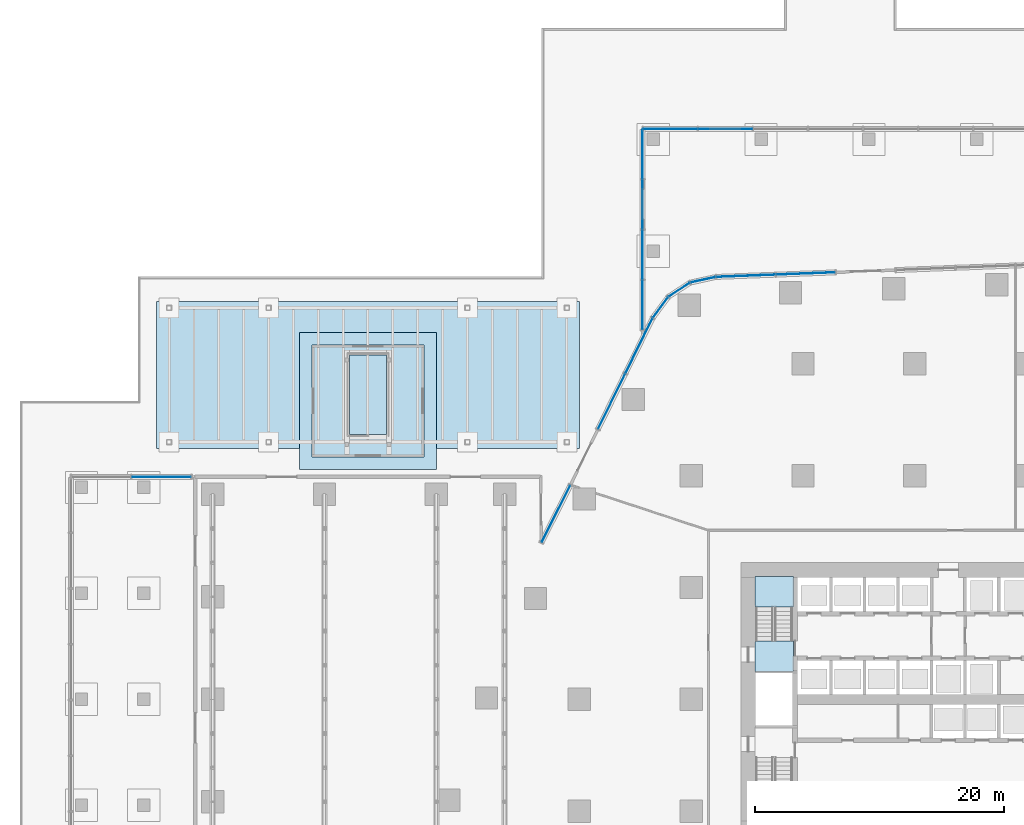
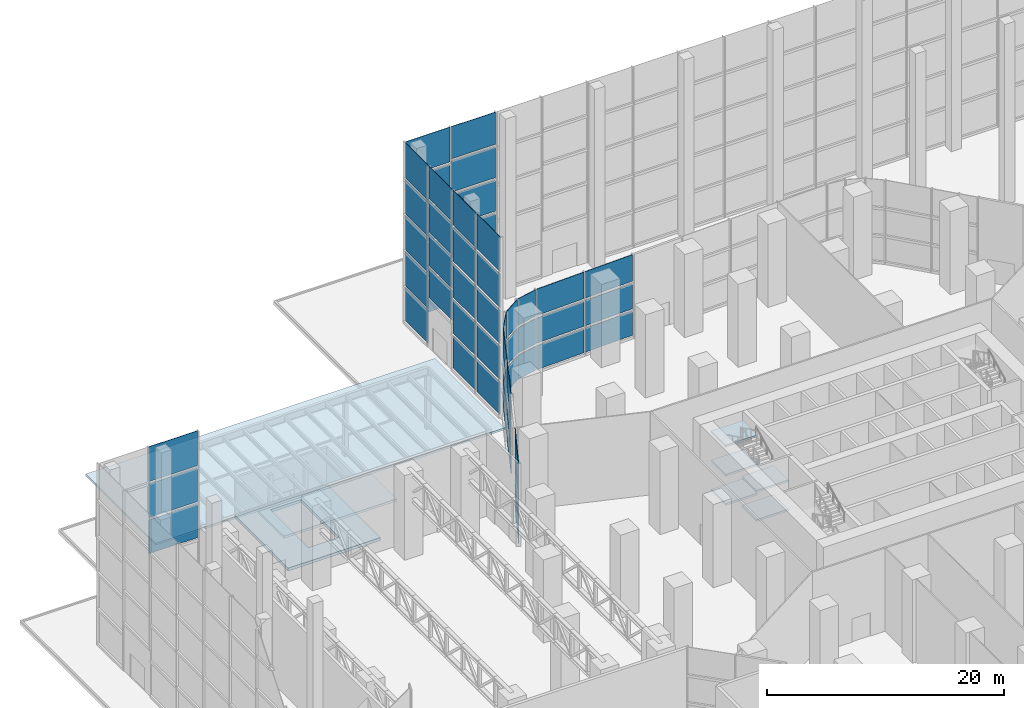
# One storey, part 24 of 40: 55 plates, 8 slabs, 11 elements without a shape of their own.
"""IFC4 building model written with IfcOpenShell, lengths in metres."""

from ifc_helpers import new_model, si_unit, direction, frame, origin, origin_2d, place, context, subcontext, project, spatial, polyline, rectangle, outline, extrude, material, layer, layer_set, type_object, element, aggregate, save


model = new_model("IFC4")

# Units and contexts
model_context = context("Model", 3, precision=1e-05, world=origin(), true_north=direction((0.0, 1.0)))
body_context = subcontext(model_context, "Body", "Model", "MODEL_VIEW")
ifc_project = project(units=[si_unit("LENGTHUNIT", "METRE"), si_unit("AREAUNIT", "SQUARE_METRE"), si_unit("VOLUMEUNIT", "CUBIC_METRE"), si_unit("PLANEANGLEUNIT", "RADIAN"), si_unit("MASSUNIT", "GRAM", prefix="KILO")], contexts=[model_context])

# Site, building, storey
site_placement = place(None, origin())
site = spatial("IfcSite", under=ifc_project, at=site_placement, CompositionType="ELEMENT")
building_placement = place(site_placement, origin())
building = spatial("IfcBuilding", under=site, at=building_placement, Name="Dongbaek Canopy Tower", CompositionType="ELEMENT")
storey_placement = place(building_placement, origin())
storey = spatial("IfcBuildingStorey", under=building, at=storey_placement, Name="L00", CompositionType="ELEMENT", Elevation=0.0)

# Curtain wall, plates
ifc_material_1 = material(Name="Aluminium 6063-T6 pale anodised", Category="aluminium")
ifc_layer_1 = layer(ifc_material_1, 0.39990234375)
ifc_layer_set_1 = layer_set([ifc_layer_1], Name="CW-3 lobby double-height curtain wall")
curtain_wall_type = type_object("IfcCurtainWallType", Name="CW-3 lobby double-height curtain wall", PredefinedType="NOTDEFINED", material=ifc_layer_set_1)
curtain_wall_1_placement = place(storey_placement, origin())
curtain_wall_1 = element("IfcCurtainWall", 1, at=curtain_wall_1_placement, inside=storey, type_object=curtain_wall_type, Name="CW-3 curtain wall F6.2", PredefinedType="NOTDEFINED")
ifc_material_2 = material(Name="Clear laminated glass", Category="glass")
ifc_layer_2 = layer(ifc_material_2, 0.0439453125)
ifc_layer_set_2 = layer_set([ifc_layer_2], Name="CW-3 glazed panel 44")
plate_type = type_object("IfcPlateType", Name="CW-3 glazed panel 44", PredefinedType="CURTAIN_PANEL", material=ifc_layer_set_2)
plate_1_placement = place(storey_placement, frame((-8.784912109375, 34.261962890625, 0.25), z_axis=(0.0, 0.0, 1.0), x_axis=(-0.999268890746, -0.038231975991, 0.0)))
plate_1 = element("IfcPlate", 2, at=plate_1_placement, type_object=plate_type, Name="CW-3 panel F6.2.1.1", PredefinedType="CURTAIN_PANEL", context=body_context, shape_type="SweptSolid", body=[
    extrude(rectangle(XDim=4.703369140625, YDim=0.0439453125, at=origin_2d()), origin(), (0.0, 0.0, 1.0), 2.47509765625),
])
plate_2_placement = place(storey_placement, frame((-8.784912109375, 34.261962890625, 2.974853515625), z_axis=(0.0, 0.0, 1.0), x_axis=(-0.999268890746, -0.038231975991, 0.0)))
plate_2 = element("IfcPlate", 3, at=plate_2_placement, type_object=plate_type, Name="CW-3 panel F6.2.1.2", PredefinedType="CURTAIN_PANEL", context=body_context, shape_type="SweptSolid", body=[
    extrude(rectangle(XDim=4.703369140625, YDim=0.0439453125, at=origin_2d()), origin(), (0.0, 0.0, 1.0), 2.60009765625),
])
plate_3_placement = place(storey_placement, frame((-8.784912109375, 34.261962890625, 5.824951171875), z_axis=(0.0, 0.0, 1.0), x_axis=(-0.999268890746, -0.038231975991, 0.0)))
plate_3 = element("IfcPlate", 4, at=plate_3_placement, type_object=plate_type, Name="CW-3 panel F6.2.1.3", PredefinedType="CURTAIN_PANEL", context=body_context, shape_type="SweptSolid", body=[
    extrude(rectangle(XDim=4.703369140625, YDim=0.0439453125, at=origin_2d()), origin(), (0.0, 0.0, 1.0), 2.72509765625),
])
plate_4_placement = place(storey_placement, frame((-13.604248046875, 34.07763671875, 0.25), z_axis=(0.0, 0.0, 1.0), x_axis=(-0.999268890746, -0.038231975991, 0.0)))
plate_4 = element("IfcPlate", 5, at=plate_4_placement, type_object=plate_type, Name="CW-3 panel F6.2.2.1", PredefinedType="CURTAIN_PANEL", context=body_context, shape_type="SweptSolid", body=[
    extrude(rectangle(XDim=4.6943359375, YDim=0.0439453125, at=origin_2d()), origin(), (0.0, 0.0, 1.0), 2.47509765625),
])
plate_5_placement = place(storey_placement, frame((-13.604248046875, 34.07763671875, 2.974853515625), z_axis=(0.0, 0.0, 1.0), x_axis=(-0.999268890746, -0.038231975991, 0.0)))
plate_5 = element("IfcPlate", 6, at=plate_5_placement, type_object=plate_type, Name="CW-3 panel F6.2.2.2", PredefinedType="CURTAIN_PANEL", context=body_context, shape_type="SweptSolid", body=[
    extrude(rectangle(XDim=4.6943359375, YDim=0.0439453125, at=origin_2d()), origin(), (0.0, 0.0, 1.0), 2.60009765625),
])
plate_6_placement = place(storey_placement, frame((-13.604248046875, 34.07763671875, 5.824951171875), z_axis=(0.0, 0.0, 1.0), x_axis=(-0.999268890746, -0.038231975991, 0.0)))
plate_6 = element("IfcPlate", 7, at=plate_6_placement, type_object=plate_type, Name="CW-3 panel F6.2.2.3", PredefinedType="CURTAIN_PANEL", context=body_context, shape_type="SweptSolid", body=[
    extrude(rectangle(XDim=4.6943359375, YDim=0.0439453125, at=origin_2d()), origin(), (0.0, 0.0, 1.0), 2.72509765625),
])
aggregate(curtain_wall_1, [plate_1, plate_2, plate_3, plate_4, plate_5, plate_6])

curtain_wall_2_placement = place(storey_placement, origin())
curtain_wall_2 = element("IfcCurtainWall", 8, at=curtain_wall_2_placement, inside=storey, type_object=curtain_wall_type, Name="CW-3 curtain wall K2.1", PredefinedType="NOTDEFINED")
plate_7_placement = place(storey_placement, frame((-17.04296875, 33.757568359375, 0.25), z_axis=(0.0, 0.0, 1.0), x_axis=(-0.976443135991, -0.215774887734, 0.0)))
plate_7 = element("IfcPlate", 9, at=plate_7_placement, type_object=plate_type, Name="CW-3 panel K2.1.1.1", PredefinedType="CURTAIN_PANEL", context=body_context, shape_type="SweptSolid", body=[
    extrude(rectangle(XDim=1.98828125, YDim=0.0439453125, at=origin_2d()), origin(), (0.0, 0.0, 1.0), 2.47509765625),
])
plate_8_placement = place(storey_placement, frame((-17.04296875, 33.757568359375, 2.974853515625), z_axis=(0.0, 0.0, 1.0), x_axis=(-0.976443135991, -0.215774887734, 0.0)))
plate_8 = element("IfcPlate", 10, at=plate_8_placement, type_object=plate_type, Name="CW-3 panel K2.1.1.2", PredefinedType="CURTAIN_PANEL", context=body_context, shape_type="SweptSolid", body=[
    extrude(rectangle(XDim=1.98828125, YDim=0.0439453125, at=origin_2d()), origin(), (0.0, 0.0, 1.0), 2.60009765625),
])
plate_9_placement = place(storey_placement, frame((-17.04296875, 33.757568359375, 5.824951171875), z_axis=(0.0, 0.0, 1.0), x_axis=(-0.976443135991, -0.215774887734, 0.0)))
plate_9 = element("IfcPlate", 11, at=plate_9_placement, type_object=plate_type, Name="CW-3 panel K2.1.1.3", PredefinedType="CURTAIN_PANEL", context=body_context, shape_type="SweptSolid", body=[
    extrude(rectangle(XDim=1.98828125, YDim=0.0439453125, at=origin_2d()), origin(), (0.0, 0.0, 1.0), 2.72509765625),
])
plate_10_placement = place(storey_placement, frame((-18.956298828125, 32.956787109375, 0.25), z_axis=(0.0, 0.0, 1.0), x_axis=(-0.83866333439, -0.544650173552, 0.0)))
plate_10 = element("IfcPlate", 12, at=plate_10_placement, type_object=plate_type, Name="CW-3 panel K2.1.2.1", PredefinedType="CURTAIN_PANEL", context=body_context, shape_type="SweptSolid", body=[
    extrude(rectangle(XDim=1.979248046875, YDim=0.0439453125, at=origin_2d()), origin(), (0.0, 0.0, 1.0), 2.47509765625),
])
plate_11_placement = place(storey_placement, frame((-18.956298828125, 32.956787109375, 2.974853515625), z_axis=(0.0, 0.0, 1.0), x_axis=(-0.83866333439, -0.544650173552, 0.0)))
plate_11 = element("IfcPlate", 13, at=plate_11_placement, type_object=plate_type, Name="CW-3 panel K2.1.2.2", PredefinedType="CURTAIN_PANEL", context=body_context, shape_type="SweptSolid", body=[
    extrude(rectangle(XDim=1.979248046875, YDim=0.0439453125, at=origin_2d()), origin(), (0.0, 0.0, 1.0), 2.60009765625),
])
plate_12_placement = place(storey_placement, frame((-18.956298828125, 32.956787109375, 5.824951171875), z_axis=(0.0, 0.0, 1.0), x_axis=(-0.83866333439, -0.544650173552, 0.0)))
plate_12 = element("IfcPlate", 14, at=plate_12_placement, type_object=plate_type, Name="CW-3 panel K2.1.2.3", PredefinedType="CURTAIN_PANEL", context=body_context, shape_type="SweptSolid", body=[
    extrude(rectangle(XDim=1.979248046875, YDim=0.0439453125, at=origin_2d()), origin(), (0.0, 0.0, 1.0), 2.72509765625),
])
plate_13_placement = place(storey_placement, frame((-20.4658203125, 31.53466796875, 0.25), z_axis=(0.0, 0.0, 1.0), x_axis=(-0.594253266515, -0.804277971373, 0.0)))
plate_13 = element("IfcPlate", 15, at=plate_13_placement, type_object=plate_type, Name="CW-3 panel K2.1.3.1", PredefinedType="CURTAIN_PANEL", context=body_context, shape_type="SweptSolid", body=[
    extrude(rectangle(XDim=1.98828125, YDim=0.0439453125, at=origin_2d()), origin(), (0.0, 0.0, 1.0), 2.47509765625),
])
plate_14_placement = place(storey_placement, frame((-20.4658203125, 31.53466796875, 2.974853515625), z_axis=(0.0, 0.0, 1.0), x_axis=(-0.594253266515, -0.804277971373, 0.0)))
plate_14 = element("IfcPlate", 16, at=plate_14_placement, type_object=plate_type, Name="CW-3 panel K2.1.3.2", PredefinedType="CURTAIN_PANEL", context=body_context, shape_type="SweptSolid", body=[
    extrude(rectangle(XDim=1.98828125, YDim=0.0439453125, at=origin_2d()), origin(), (0.0, 0.0, 1.0), 2.60009765625),
])
plate_15_placement = place(storey_placement, frame((-20.4658203125, 31.53466796875, 5.824951171875), z_axis=(0.0, 0.0, 1.0), x_axis=(-0.594253266515, -0.804277971373, 0.0)))
plate_15 = element("IfcPlate", 17, at=plate_15_placement, type_object=plate_type, Name="CW-3 panel K2.1.3.3", PredefinedType="CURTAIN_PANEL", context=body_context, shape_type="SweptSolid", body=[
    extrude(rectangle(XDim=1.98828125, YDim=0.0439453125, at=origin_2d()), origin(), (0.0, 0.0, 1.0), 2.72509765625),
])
aggregate(curtain_wall_2, [plate_7, plate_8, plate_9, plate_10, plate_11, plate_12, plate_13, plate_14, plate_15])

curtain_wall_3_placement = place(storey_placement, origin())
curtain_wall_3 = element("IfcCurtainWall", 18, at=curtain_wall_3_placement, inside=storey, type_object=curtain_wall_type, Name="CW-3 curtain wall F7.1", PredefinedType="NOTDEFINED")
plate_16_placement = place(storey_placement, frame((-22.194091796875, 28.447509765625, 0.25), z_axis=(0.0, 0.0, 1.0), x_axis=(-0.441341607677, -0.897339169619, 0.0)))
plate_16 = element("IfcPlate", 19, at=plate_16_placement, type_object=plate_type, Name="CW-3 panel F7.1.1.1", PredefinedType="CURTAIN_PANEL", context=body_context, shape_type="SweptSolid", body=[
    extrude(rectangle(XDim=4.863525390625, YDim=0.0439453125, at=origin_2d()), origin(), (0.0, 0.0, 1.0), 2.47509765625),
])
plate_17_placement = place(storey_placement, frame((-22.194091796875, 28.447509765625, 2.974853515625), z_axis=(0.0, 0.0, 1.0), x_axis=(-0.441341607677, -0.897339169619, 0.0)))
plate_17 = element("IfcPlate", 20, at=plate_17_placement, type_object=plate_type, Name="CW-3 panel F7.1.1.2", PredefinedType="CURTAIN_PANEL", context=body_context, shape_type="SweptSolid", body=[
    extrude(rectangle(XDim=4.863525390625, YDim=0.0439453125, at=origin_2d()), origin(), (0.0, 0.0, 1.0), 2.60009765625),
])
plate_18_placement = place(storey_placement, frame((-22.194091796875, 28.447509765625, 5.824951171875), z_axis=(0.0, 0.0, 1.0), x_axis=(-0.441341607677, -0.897339169619, 0.0)))
plate_18 = element("IfcPlate", 21, at=plate_18_placement, type_object=plate_type, Name="CW-3 panel F7.1.1.3", PredefinedType="CURTAIN_PANEL", context=body_context, shape_type="SweptSolid", body=[
    extrude(rectangle(XDim=4.863525390625, YDim=0.0439453125, at=origin_2d()), origin(), (0.0, 0.0, 1.0), 2.72509765625),
])
plate_19_placement = place(storey_placement, frame((-24.397216796875, 23.9677734375, 0.25), z_axis=(0.0, 0.0, 1.0), x_axis=(-0.441341607677, -0.897339169619, 0.0)))
plate_19 = element("IfcPlate", 22, at=plate_19_placement, type_object=plate_type, Name="CW-3 panel F7.1.2.1", PredefinedType="CURTAIN_PANEL", context=body_context, shape_type="SweptSolid", body=[
    extrude(rectangle(XDim=4.87255859375, YDim=0.0439453125, at=origin_2d()), origin(), (0.0, 0.0, 1.0), 2.47509765625),
])
plate_20_placement = place(storey_placement, frame((-24.397216796875, 23.9677734375, 2.974853515625), z_axis=(0.0, 0.0, 1.0), x_axis=(-0.441341607677, -0.897339169619, 0.0)))
plate_20 = element("IfcPlate", 23, at=plate_20_placement, type_object=plate_type, Name="CW-3 panel F7.1.2.2", PredefinedType="CURTAIN_PANEL", context=body_context, shape_type="SweptSolid", body=[
    extrude(rectangle(XDim=4.87255859375, YDim=0.0439453125, at=origin_2d()), origin(), (0.0, 0.0, 1.0), 2.60009765625),
])
plate_21_placement = place(storey_placement, frame((-24.397216796875, 23.9677734375, 5.824951171875), z_axis=(0.0, 0.0, 1.0), x_axis=(-0.441341607677, -0.897339169619, 0.0)))
plate_21 = element("IfcPlate", 24, at=plate_21_placement, type_object=plate_type, Name="CW-3 panel F7.1.2.3", PredefinedType="CURTAIN_PANEL", context=body_context, shape_type="SweptSolid", body=[
    extrude(rectangle(XDim=4.87255859375, YDim=0.0439453125, at=origin_2d()), origin(), (0.0, 0.0, 1.0), 2.72509765625),
])
aggregate(curtain_wall_3, [plate_16, plate_17, plate_18, plate_19, plate_20, plate_21])

curtain_wall_4_placement = place(storey_placement, origin())
curtain_wall_4 = element("IfcCurtainWall", 25, at=curtain_wall_4_placement, inside=storey, type_object=curtain_wall_type, Name="CW-3 curtain wall F7.2", PredefinedType="NOTDEFINED")
plate_22_placement = place(storey_placement, frame((-28.875244140625, 14.92529296875, 0.25), z_axis=(0.0, 0.0, 1.0), x_axis=(-0.450769396927, -0.892640437575, 0.0)))
plate_22 = element("IfcPlate", 26, at=plate_22_placement, type_object=plate_type, Name="CW-3 panel F7.2.1.1", PredefinedType="CURTAIN_PANEL", context=body_context, shape_type="SweptSolid", body=[
    extrude(rectangle(XDim=5.067626953125, YDim=0.0439453125, at=origin_2d()), origin(), (0.0, 0.0, 1.0), 2.47509765625),
])
plate_23_placement = place(storey_placement, frame((-28.875244140625, 14.92529296875, 2.974853515625), z_axis=(0.0, 0.0, 1.0), x_axis=(-0.450769396927, -0.892640437575, 0.0)))
plate_23 = element("IfcPlate", 27, at=plate_23_placement, type_object=plate_type, Name="CW-3 panel F7.2.1.2", PredefinedType="CURTAIN_PANEL", context=body_context, shape_type="SweptSolid", body=[
    extrude(rectangle(XDim=5.067626953125, YDim=0.0439453125, at=origin_2d()), origin(), (0.0, 0.0, 1.0), 2.60009765625),
])
plate_24_placement = place(storey_placement, frame((-28.875244140625, 14.92529296875, 5.824951171875), z_axis=(0.0, 0.0, 1.0), x_axis=(-0.450769396927, -0.892640437575, 0.0)))
plate_24 = element("IfcPlate", 28, at=plate_24_placement, type_object=plate_type, Name="CW-3 panel F7.2.1.3", PredefinedType="CURTAIN_PANEL", context=body_context, shape_type="SweptSolid", body=[
    extrude(rectangle(XDim=5.067626953125, YDim=0.0439453125, at=origin_2d()), origin(), (0.0, 0.0, 1.0), 2.72509765625),
])
aggregate(curtain_wall_4, [plate_22, plate_23, plate_24])

curtain_wall_5_placement = place(storey_placement, origin())
curtain_wall_5 = element("IfcCurtainWall", 29, at=curtain_wall_5_placement, inside=storey, type_object=curtain_wall_type, Name="CW-3 curtain wall HNN.17U", PredefinedType="NOTDEFINED")
plate_25_placement = place(storey_placement, frame((-15.25, 45.89990234375, 5.050048828125), z_axis=(0.0, 0.0, 1.0), x_axis=(-1.0, 0.0, 0.0)))
plate_25 = element("IfcPlate", 30, at=plate_25_placement, type_object=plate_type, Name="CW-3 panel HNN.17U.1.1", PredefinedType="CURTAIN_PANEL", context=body_context, shape_type="SweptSolid", body=[
    extrude(rectangle(XDim=4.309326171875, YDim=0.0439453125, at=origin_2d()), origin(), (0.0, 0.0, 1.0), 3.0625),
])
plate_26_placement = place(storey_placement, frame((-15.25, 45.89990234375, 8.362548828125), z_axis=(0.0, 0.0, 1.0), x_axis=(-1.0, 0.0, 0.0)))
plate_26 = element("IfcPlate", 31, at=plate_26_placement, type_object=plate_type, Name="CW-3 panel HNN.17U.1.2", PredefinedType="CURTAIN_PANEL", context=body_context, shape_type="SweptSolid", body=[
    extrude(rectangle(XDim=4.309326171875, YDim=0.0439453125, at=origin_2d()), origin(), (0.0, 0.0, 1.0), 3.1875),
])
plate_27_placement = place(storey_placement, frame((-15.25, 45.89990234375, 11.800048828125), z_axis=(0.0, 0.0, 1.0), x_axis=(-1.0, 0.0, 0.0)))
plate_27 = element("IfcPlate", 32, at=plate_27_placement, type_object=plate_type, Name="CW-3 panel HNN.17U.1.3", PredefinedType="CURTAIN_PANEL", context=body_context, shape_type="SweptSolid", body=[
    extrude(rectangle(XDim=4.309326171875, YDim=0.0439453125, at=origin_2d()), origin(), (0.0, 0.0, 1.0), 3.1875),
])
plate_28_placement = place(storey_placement, frame((-15.25, 45.89990234375, 15.237548828125), z_axis=(0.0, 0.0, 1.0), x_axis=(-1.0, 0.0, 0.0)))
plate_28 = element("IfcPlate", 33, at=plate_28_placement, type_object=plate_type, Name="CW-3 panel HNN.17U.1.4", PredefinedType="CURTAIN_PANEL", context=body_context, shape_type="SweptSolid", body=[
    extrude(rectangle(XDim=4.309326171875, YDim=0.0439453125, at=origin_2d()), origin(), (0.0, 0.0, 1.0), 3.3125),
])
aggregate(curtain_wall_5, [plate_25, plate_26, plate_27, plate_28])

curtain_wall_6_placement = place(storey_placement, origin())
curtain_wall_6 = element("IfcCurtainWall", 34, at=curtain_wall_6_placement, inside=storey, type_object=curtain_wall_type, Name="CW-3 curtain wall HNN.5", PredefinedType="NOTDEFINED")
plate_29_placement = place(storey_placement, frame((-19.683349609375, 45.89990234375, 0.25), z_axis=(0.0, 0.0, 1.0), x_axis=(-1.0, 0.0, 0.0)))
plate_29 = element("IfcPlate", 35, at=plate_29_placement, type_object=plate_type, Name="CW-3 panel HNN.5.1.1", PredefinedType="CURTAIN_PANEL", context=body_context, shape_type="SweptSolid", body=[
    extrude(rectangle(XDim=4.309326171875, YDim=0.0439453125, at=origin_2d()), origin(), (0.0, 0.0, 1.0), 3.3349609375),
])
plate_30_placement = place(storey_placement, frame((-19.683349609375, 45.89990234375, 3.8349609375), z_axis=(0.0, 0.0, 1.0), x_axis=(-1.0, 0.0, 0.0)))
plate_30 = element("IfcPlate", 36, at=plate_30_placement, type_object=plate_type, Name="CW-3 panel HNN.5.1.2", PredefinedType="CURTAIN_PANEL", context=body_context, shape_type="SweptSolid", body=[
    extrude(rectangle(XDim=4.309326171875, YDim=0.0439453125, at=origin_2d()), origin(), (0.0, 0.0, 1.0), 3.4599609375),
])
plate_31_placement = place(storey_placement, frame((-19.683349609375, 45.89990234375, 7.544921875), z_axis=(0.0, 0.0, 1.0), x_axis=(-1.0, 0.0, 0.0)))
plate_31 = element("IfcPlate", 37, at=plate_31_placement, type_object=plate_type, Name="CW-3 panel HNN.5.1.3", PredefinedType="CURTAIN_PANEL", context=body_context, shape_type="SweptSolid", body=[
    extrude(rectangle(XDim=4.309326171875, YDim=0.0439453125, at=origin_2d()), origin(), (0.0, 0.0, 1.0), 3.4599609375),
])
plate_32_placement = place(storey_placement, frame((-19.683349609375, 45.89990234375, 11.255126953125), z_axis=(0.0, 0.0, 1.0), x_axis=(-1.0, 0.0, 0.0)))
plate_32 = element("IfcPlate", 38, at=plate_32_placement, type_object=plate_type, Name="CW-3 panel HNN.5.1.4", PredefinedType="CURTAIN_PANEL", context=body_context, shape_type="SweptSolid", body=[
    extrude(rectangle(XDim=4.309326171875, YDim=0.0439453125, at=origin_2d()), origin(), (0.0, 0.0, 1.0), 3.4599609375),
])
plate_33_placement = place(storey_placement, frame((-19.683349609375, 45.89990234375, 14.965087890625), z_axis=(0.0, 0.0, 1.0), x_axis=(-1.0, 0.0, 0.0)))
plate_33 = element("IfcPlate", 39, at=plate_33_placement, type_object=plate_type, Name="CW-3 panel HNN.5.1.5", PredefinedType="CURTAIN_PANEL", context=body_context, shape_type="SweptSolid", body=[
    extrude(rectangle(XDim=4.309326171875, YDim=0.0439453125, at=origin_2d()), origin(), (0.0, 0.0, 1.0), 3.5849609375),
])
aggregate(curtain_wall_6, [plate_29, plate_30, plate_31, plate_32, plate_33])

curtain_wall_7_placement = place(storey_placement, origin())
curtain_wall_7 = element("IfcCurtainWall", 40, at=curtain_wall_7_placement, inside=storey, type_object=curtain_wall_type, Name="CW-3 curtain wall HNW.1", PredefinedType="NOTDEFINED")
plate_34_placement = place(storey_placement, frame((-21.89990234375, 43.878173828125, 0.25), z_axis=(0.0, 0.0, 1.0), x_axis=(0.0, -1.0, 0.0)))
plate_34 = element("IfcPlate", 41, at=plate_34_placement, type_object=plate_type, Name="CW-3 panel HNW.1.1.1", PredefinedType="CURTAIN_PANEL", context=body_context, shape_type="SweptSolid", body=[
    extrude(rectangle(XDim=3.919677734375, YDim=0.0439453125, at=origin_2d()), origin(), (0.0, 0.0, 1.0), 3.3349609375),
])
plate_35_placement = place(storey_placement, frame((-21.89990234375, 43.878173828125, 3.8349609375), z_axis=(0.0, 0.0, 1.0), x_axis=(0.0, -1.0, 0.0)))
plate_35 = element("IfcPlate", 42, at=plate_35_placement, type_object=plate_type, Name="CW-3 panel HNW.1.1.2", PredefinedType="CURTAIN_PANEL", context=body_context, shape_type="SweptSolid", body=[
    extrude(rectangle(XDim=3.919677734375, YDim=0.0439453125, at=origin_2d()), origin(), (0.0, 0.0, 1.0), 3.4599609375),
])
plate_36_placement = place(storey_placement, frame((-21.89990234375, 43.878173828125, 7.544921875), z_axis=(0.0, 0.0, 1.0), x_axis=(0.0, -1.0, 0.0)))
plate_36 = element("IfcPlate", 43, at=plate_36_placement, type_object=plate_type, Name="CW-3 panel HNW.1.1.3", PredefinedType="CURTAIN_PANEL", context=body_context, shape_type="SweptSolid", body=[
    extrude(rectangle(XDim=3.919677734375, YDim=0.0439453125, at=origin_2d()), origin(), (0.0, 0.0, 1.0), 3.4599609375),
])
plate_37_placement = place(storey_placement, frame((-21.89990234375, 43.878173828125, 11.255126953125), z_axis=(0.0, 0.0, 1.0), x_axis=(0.0, -1.0, 0.0)))
plate_37 = element("IfcPlate", 44, at=plate_37_placement, type_object=plate_type, Name="CW-3 panel HNW.1.1.4", PredefinedType="CURTAIN_PANEL", context=body_context, shape_type="SweptSolid", body=[
    extrude(rectangle(XDim=3.919677734375, YDim=0.0439453125, at=origin_2d()), origin(), (0.0, 0.0, 1.0), 3.4599609375),
])
plate_38_placement = place(storey_placement, frame((-21.89990234375, 43.878173828125, 14.965087890625), z_axis=(0.0, 0.0, 1.0), x_axis=(0.0, -1.0, 0.0)))
plate_38 = element("IfcPlate", 45, at=plate_38_placement, type_object=plate_type, Name="CW-3 panel HNW.1.1.5", PredefinedType="CURTAIN_PANEL", context=body_context, shape_type="SweptSolid", body=[
    extrude(rectangle(XDim=3.919677734375, YDim=0.0439453125, at=origin_2d()), origin(), (0.0, 0.0, 1.0), 3.5849609375),
])
aggregate(curtain_wall_7, [plate_34, plate_35, plate_36, plate_37, plate_38])

curtain_wall_8_placement = place(storey_placement, origin())
curtain_wall_8 = element("IfcCurtainWall", 46, at=curtain_wall_8_placement, inside=storey, type_object=curtain_wall_type, Name="CW-3 curtain wall HNW.2U", PredefinedType="NOTDEFINED")
plate_39_placement = place(storey_placement, frame((-21.89990234375, 39.83447265625, 5.050048828125), z_axis=(0.0, 0.0, 1.0), x_axis=(0.0, -1.0, 0.0)))
plate_39 = element("IfcPlate", 47, at=plate_39_placement, type_object=plate_type, Name="CW-3 panel HNW.2U.1.1", PredefinedType="CURTAIN_PANEL", context=body_context, shape_type="SweptSolid", body=[
    extrude(rectangle(XDim=3.919677734375, YDim=0.0439453125, at=origin_2d()), origin(), (0.0, 0.0, 1.0), 3.0625),
])
plate_40_placement = place(storey_placement, frame((-21.89990234375, 39.83447265625, 8.362548828125), z_axis=(0.0, 0.0, 1.0), x_axis=(0.0, -1.0, 0.0)))
plate_40 = element("IfcPlate", 48, at=plate_40_placement, type_object=plate_type, Name="CW-3 panel HNW.2U.1.2", PredefinedType="CURTAIN_PANEL", context=body_context, shape_type="SweptSolid", body=[
    extrude(rectangle(XDim=3.919677734375, YDim=0.0439453125, at=origin_2d()), origin(), (0.0, 0.0, 1.0), 3.1875),
])
plate_41_placement = place(storey_placement, frame((-21.89990234375, 39.83447265625, 11.800048828125), z_axis=(0.0, 0.0, 1.0), x_axis=(0.0, -1.0, 0.0)))
plate_41 = element("IfcPlate", 49, at=plate_41_placement, type_object=plate_type, Name="CW-3 panel HNW.2U.1.3", PredefinedType="CURTAIN_PANEL", context=body_context, shape_type="SweptSolid", body=[
    extrude(rectangle(XDim=3.919677734375, YDim=0.0439453125, at=origin_2d()), origin(), (0.0, 0.0, 1.0), 3.1875),
])
plate_42_placement = place(storey_placement, frame((-21.89990234375, 39.83447265625, 15.237548828125), z_axis=(0.0, 0.0, 1.0), x_axis=(0.0, -1.0, 0.0)))
plate_42 = element("IfcPlate", 50, at=plate_42_placement, type_object=plate_type, Name="CW-3 panel HNW.2U.1.4", PredefinedType="CURTAIN_PANEL", context=body_context, shape_type="SweptSolid", body=[
    extrude(rectangle(XDim=3.919677734375, YDim=0.0439453125, at=origin_2d()), origin(), (0.0, 0.0, 1.0), 3.3125),
])
aggregate(curtain_wall_8, [plate_39, plate_40, plate_41, plate_42])

curtain_wall_9_placement = place(storey_placement, origin())
curtain_wall_9 = element("IfcCurtainWall", 51, at=curtain_wall_9_placement, inside=storey, type_object=curtain_wall_type, Name="CW-3 curtain wall HNW.2", PredefinedType="NOTDEFINED")
plate_43_placement = place(storey_placement, frame((-21.89990234375, 35.79052734375, 0.25), z_axis=(0.0, 0.0, 1.0), x_axis=(0.0, -1.0, 0.0)))
plate_43 = element("IfcPlate", 52, at=plate_43_placement, type_object=plate_type, Name="CW-3 panel HNW.2.1.1", PredefinedType="CURTAIN_PANEL", context=body_context, shape_type="SweptSolid", body=[
    extrude(rectangle(XDim=3.919677734375, YDim=0.0439453125, at=origin_2d()), origin(), (0.0, 0.0, 1.0), 3.3349609375),
])
plate_44_placement = place(storey_placement, frame((-21.89990234375, 35.79052734375, 3.8349609375), z_axis=(0.0, 0.0, 1.0), x_axis=(0.0, -1.0, 0.0)))
plate_44 = element("IfcPlate", 53, at=plate_44_placement, type_object=plate_type, Name="CW-3 panel HNW.2.1.2", PredefinedType="CURTAIN_PANEL", context=body_context, shape_type="SweptSolid", body=[
    extrude(rectangle(XDim=3.919677734375, YDim=0.0439453125, at=origin_2d()), origin(), (0.0, 0.0, 1.0), 3.4599609375),
])
plate_45_placement = place(storey_placement, frame((-21.89990234375, 35.79052734375, 7.544921875), z_axis=(0.0, 0.0, 1.0), x_axis=(0.0, -1.0, 0.0)))
plate_45 = element("IfcPlate", 54, at=plate_45_placement, type_object=plate_type, Name="CW-3 panel HNW.2.1.3", PredefinedType="CURTAIN_PANEL", context=body_context, shape_type="SweptSolid", body=[
    extrude(rectangle(XDim=3.919677734375, YDim=0.0439453125, at=origin_2d()), origin(), (0.0, 0.0, 1.0), 3.4599609375),
])
plate_46_placement = place(storey_placement, frame((-21.89990234375, 35.79052734375, 11.255126953125), z_axis=(0.0, 0.0, 1.0), x_axis=(0.0, -1.0, 0.0)))
plate_46 = element("IfcPlate", 55, at=plate_46_placement, type_object=plate_type, Name="CW-3 panel HNW.2.1.4", PredefinedType="CURTAIN_PANEL", context=body_context, shape_type="SweptSolid", body=[
    extrude(rectangle(XDim=3.919677734375, YDim=0.0439453125, at=origin_2d()), origin(), (0.0, 0.0, 1.0), 3.4599609375),
])
plate_47_placement = place(storey_placement, frame((-21.89990234375, 35.79052734375, 14.965087890625), z_axis=(0.0, 0.0, 1.0), x_axis=(0.0, -1.0, 0.0)))
plate_47 = element("IfcPlate", 56, at=plate_47_placement, type_object=plate_type, Name="CW-3 panel HNW.2.1.5", PredefinedType="CURTAIN_PANEL", context=body_context, shape_type="SweptSolid", body=[
    extrude(rectangle(XDim=3.919677734375, YDim=0.0439453125, at=origin_2d()), origin(), (0.0, 0.0, 1.0), 3.5849609375),
])
plate_48_placement = place(storey_placement, frame((-21.89990234375, 31.746826171875, 0.25), z_axis=(0.0, 0.0, 1.0), x_axis=(0.0, -1.0, 0.0)))
plate_48 = element("IfcPlate", 57, at=plate_48_placement, type_object=plate_type, Name="CW-3 panel HNW.2.2.1", PredefinedType="CURTAIN_PANEL", context=body_context, shape_type="SweptSolid", body=[
    extrude(rectangle(XDim=3.919677734375, YDim=0.0439453125, at=origin_2d()), origin(), (0.0, 0.0, 1.0), 3.3349609375),
])
plate_49_placement = place(storey_placement, frame((-21.89990234375, 31.746826171875, 3.8349609375), z_axis=(0.0, 0.0, 1.0), x_axis=(0.0, -1.0, 0.0)))
plate_49 = element("IfcPlate", 58, at=plate_49_placement, type_object=plate_type, Name="CW-3 panel HNW.2.2.2", PredefinedType="CURTAIN_PANEL", context=body_context, shape_type="SweptSolid", body=[
    extrude(rectangle(XDim=3.919677734375, YDim=0.0439453125, at=origin_2d()), origin(), (0.0, 0.0, 1.0), 3.4599609375),
])
plate_50_placement = place(storey_placement, frame((-21.89990234375, 31.746826171875, 7.544921875), z_axis=(0.0, 0.0, 1.0), x_axis=(0.0, -1.0, 0.0)))
plate_50 = element("IfcPlate", 59, at=plate_50_placement, type_object=plate_type, Name="CW-3 panel HNW.2.2.3", PredefinedType="CURTAIN_PANEL", context=body_context, shape_type="SweptSolid", body=[
    extrude(rectangle(XDim=3.919677734375, YDim=0.0439453125, at=origin_2d()), origin(), (0.0, 0.0, 1.0), 3.4599609375),
])
plate_51_placement = place(storey_placement, frame((-21.89990234375, 31.746826171875, 11.255126953125), z_axis=(0.0, 0.0, 1.0), x_axis=(0.0, -1.0, 0.0)))
plate_51 = element("IfcPlate", 60, at=plate_51_placement, type_object=plate_type, Name="CW-3 panel HNW.2.2.4", PredefinedType="CURTAIN_PANEL", context=body_context, shape_type="SweptSolid", body=[
    extrude(rectangle(XDim=3.919677734375, YDim=0.0439453125, at=origin_2d()), origin(), (0.0, 0.0, 1.0), 3.4599609375),
])
plate_52_placement = place(storey_placement, frame((-21.89990234375, 31.746826171875, 14.965087890625), z_axis=(0.0, 0.0, 1.0), x_axis=(0.0, -1.0, 0.0)))
plate_52 = element("IfcPlate", 61, at=plate_52_placement, type_object=plate_type, Name="CW-3 panel HNW.2.2.5", PredefinedType="CURTAIN_PANEL", context=body_context, shape_type="SweptSolid", body=[
    extrude(rectangle(XDim=3.919677734375, YDim=0.0439453125, at=origin_2d()), origin(), (0.0, 0.0, 1.0), 3.5849609375),
])
aggregate(curtain_wall_9, [plate_43, plate_44, plate_45, plate_46, plate_47, plate_48, plate_49, plate_50, plate_51, plate_52])

curtain_wall_10_placement = place(storey_placement, origin())
curtain_wall_10 = element("IfcCurtainWall", 62, at=curtain_wall_10_placement, inside=storey, type_object=curtain_wall_type, Name="CW-3 curtain wall HWN.1", PredefinedType="NOTDEFINED")
plate_53_placement = place(storey_placement, frame((-60.625, 17.89990234375, 7.544921875), z_axis=(0.0, 0.0, 1.0), x_axis=(-1.0, 0.0, 0.0)))
plate_53 = element("IfcPlate", 63, at=plate_53_placement, type_object=plate_type, Name="CW-3 panel HWN.1.1.3", PredefinedType="CURTAIN_PANEL", context=body_context, shape_type="SweptSolid", body=[
    extrude(rectangle(XDim=4.72607421875, YDim=0.0439453125, at=origin_2d()), origin(), (0.0, 0.0, 1.0), 3.4599609375),
])
plate_54_placement = place(storey_placement, frame((-60.625, 17.89990234375, 11.255126953125), z_axis=(0.0, 0.0, 1.0), x_axis=(-1.0, 0.0, 0.0)))
plate_54 = element("IfcPlate", 64, at=plate_54_placement, type_object=plate_type, Name="CW-3 panel HWN.1.1.4", PredefinedType="CURTAIN_PANEL", context=body_context, shape_type="SweptSolid", body=[
    extrude(rectangle(XDim=4.72607421875, YDim=0.0439453125, at=origin_2d()), origin(), (0.0, 0.0, 1.0), 3.4599609375),
])
plate_55_placement = place(storey_placement, frame((-60.625, 17.89990234375, 14.965087890625), z_axis=(0.0, 0.0, 1.0), x_axis=(-1.0, 0.0, 0.0)))
plate_55 = element("IfcPlate", 65, at=plate_55_placement, type_object=plate_type, Name="CW-3 panel HWN.1.1.5", PredefinedType="CURTAIN_PANEL", context=body_context, shape_type="SweptSolid", body=[
    extrude(rectangle(XDim=4.72607421875, YDim=0.0439453125, at=origin_2d()), origin(), (0.0, 0.0, 1.0), 3.5849609375),
])
aggregate(curtain_wall_10, [plate_53, plate_54, plate_55])

# Stair, slabs
ifc_material_3 = material(Name="Concrete C40/50", Category="concrete")
stair_type = type_object("IfcStairType", Name="Core exit stair", PredefinedType="HALF_TURN_STAIR", material=ifc_material_3)
stair_placement = place(storey_placement, origin())
stair = element("IfcStair", 66, at=stair_placement, inside=storey, type_object=stair_type, Name="L00 exit stair C", PredefinedType="HALF_TURN_STAIR")
ifc_material_4 = material(Name="Concrete C40/50", Category="concrete")
ifc_layer_3 = layer(ifc_material_4, 0.199951171875)
ifc_layer_set_3 = layer_set([ifc_layer_3], Name="Core stair landing 200")
slab_type_1 = type_object("IfcSlabType", Name="Core stair landing 200", PredefinedType="LANDING", material=ifc_layer_set_3)
slab_1_placement = place(storey_placement, frame((0.0, 0.0, 1.300048828125)))
slab_1 = element("IfcSlab", 67, at=slab_1_placement, type_object=slab_type_1, Name="ST-C landing 1", PredefinedType="LANDING", context=body_context, shape_type="SweptSolid", body=[
    extrude(outline(polyline([(-9.77490234375, 7.419921875), (-9.77490234375, 9.875), (-12.875, 9.875), (-12.875, 7.419921875), (-9.77490234375, 7.419921875)])), origin(), (0.0, 0.0, 1.0), 0.199951171875),
])
slab_2_placement = place(storey_placement, frame((0.0, 0.0, 2.800048828125)))
slab_2 = element("IfcSlab", 68, at=slab_2_placement, type_object=slab_type_1, Name="ST-C landing 2", PredefinedType="LANDING", context=body_context, shape_type="SweptSolid", body=[
    extrude(outline(polyline([(-9.77490234375, 2.22509765625), (-9.77490234375, 4.699951171875), (-12.875, 4.699951171875), (-12.875, 2.22509765625), (-9.77490234375, 2.22509765625)])), origin(), (0.0, 0.0, 1.0), 0.199951171875),
])
slab_3_placement = place(storey_placement, frame((0.0, 0.0, 4.300048828125)))
slab_3 = element("IfcSlab", 69, at=slab_3_placement, type_object=slab_type_1, Name="ST-C landing 3", PredefinedType="LANDING", context=body_context, shape_type="SweptSolid", body=[
    extrude(outline(polyline([(-9.77490234375, 7.419921875), (-9.77490234375, 9.875), (-12.875, 9.875), (-12.875, 7.419921875), (-9.77490234375, 7.419921875)])), origin(), (0.0, 0.0, 1.0), 0.199951171875),
])
slab_4_placement = place(storey_placement, frame((0.0, 0.0, 5.800048828125)))
slab_4 = element("IfcSlab", 70, at=slab_4_placement, type_object=slab_type_1, Name="ST-C landing 4", PredefinedType="LANDING", context=body_context, shape_type="SweptSolid", body=[
    extrude(outline(polyline([(-9.77490234375, 2.22509765625), (-9.77490234375, 4.699951171875), (-12.875, 4.699951171875), (-12.875, 2.22509765625), (-9.77490234375, 2.22509765625)])), origin(), (0.0, 0.0, 1.0), 0.199951171875),
])
slab_5_placement = place(storey_placement, frame((0.0, 0.0, 7.300048828125)))
slab_5 = element("IfcSlab", 71, at=slab_5_placement, type_object=slab_type_1, Name="ST-C landing 5", PredefinedType="LANDING", context=body_context, shape_type="SweptSolid", body=[
    extrude(outline(polyline([(-9.77490234375, 7.419921875), (-9.77490234375, 9.875), (-12.875, 9.875), (-12.875, 7.419921875), (-9.77490234375, 7.419921875)])), origin(), (0.0, 0.0, 1.0), 0.199951171875),
])
aggregate(stair, [slab_1, slab_2, slab_3, slab_4, slab_5])

# Slabs
ifc_material_5 = material(Name="Concrete C40/50 with pale metal soffit", Category="concrete")
ifc_layer_4 = layer(ifc_material_5, 0.25)
ifc_layer_set_4 = layer_set([ifc_layer_4], Name="Pavilion canopy 250")
slab_type_2 = type_object("IfcSlabType", Name="Pavilion canopy 250", PredefinedType="ROOF", material=ifc_layer_set_4)
slab_6_placement = place(storey_placement, frame((0.0, 0.0, 4.0)))
element("IfcSlab", 72, at=slab_6_placement, inside=storey, type_object=slab_type_2, Name="Metro entrance B canopy", PredefinedType="ROOF", context=body_context, shape_type="SweptSolid", body=[
    extrude(outline(polyline([(-49.5, 18.5), (-38.5, 18.5), (-38.5, 29.5), (-49.5, 29.5), (-49.5, 18.5)])), origin(), (0.0, 0.0, 1.0), 0.25),
])
ifc_material_6 = material(Name="Concrete C40/50", Category="concrete")
ifc_layer_5 = layer(ifc_material_6, 0.300048828125)
ifc_layer_set_5 = layer_set([ifc_layer_5], Name="Pavilion floor 300")
slab_type_3 = type_object("IfcSlabType", Name="Pavilion floor 300", PredefinedType="FLOOR", material=ifc_layer_set_5)
slab_7_placement = place(storey_placement, frame((0.0, 0.0, -0.300048828125)))
element("IfcSlab", 73, at=slab_7_placement, inside=storey, type_object=slab_type_3, Name="Metro entrance B floor", PredefinedType="FLOOR", context=body_context, shape_type="SweptSolid", body=[
    extrude(outline(polyline([(-48.5, 19.5), (-39.5, 19.5), (-39.5, 28.5), (-48.5, 28.5), (-48.5, 19.5)]), holes=[polyline([(-45.5, 21.300048828125), (-42.5, 21.300048828125), (-42.5, 27.699951171875), (-45.5, 27.699951171875), (-45.5, 21.300048828125)])]), origin(), (0.0, 0.0, 1.0), 0.300048828125),
])
ifc_material_7 = material(Name="Concrete C40/50 with pale metal soffit", Category="concrete")
ifc_layer_6 = layer(ifc_material_7, 0.199951171875)
ifc_layer_set_6 = layer_set([ifc_layer_6], Name="Station canopy roof 200")
slab_type_4 = type_object("IfcSlabType", Name="Station canopy roof 200", PredefinedType="ROOF", material=ifc_layer_set_6)
slab_8_placement = place(storey_placement, frame((0.0, 0.0, 6.300048828125)))
element("IfcSlab", 74, at=slab_8_placement, inside=storey, type_object=slab_type_4, Name="Station canopy B roof", PredefinedType="ROOF", context=body_context, shape_type="SweptSolid", body=[
    extrude(outline(polyline([(-61.0, 20.199951171875), (-27.0, 20.199951171875), (-27.0, 32.0), (-61.0, 32.0), (-61.0, 20.199951171875)])), origin(), (0.0, 0.0, 1.0), 0.199951171875),
])

save(model, "model.ifc")
